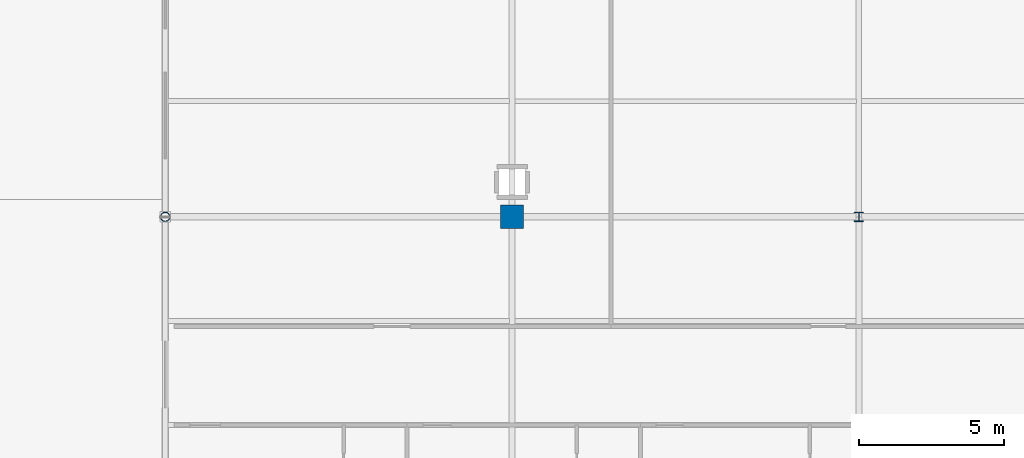
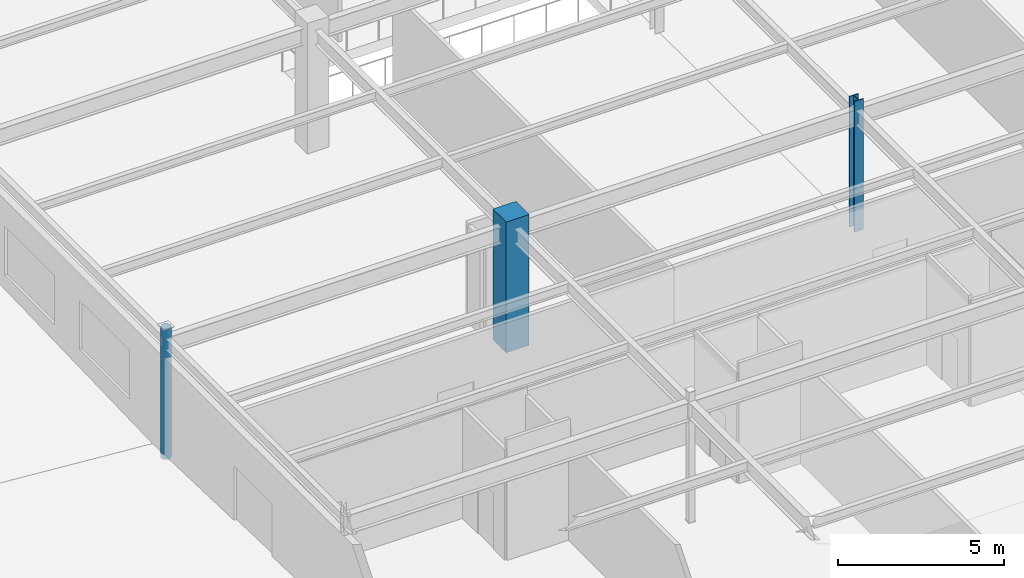
# One storey, part 3 of 199: 3 columns.
"""IFC4 building model written with IfcOpenShell, lengths in metres."""

from ifc_helpers import new_model, si_unit, direction, frame, origin, origin_2d, place, context, subcontext, project, spatial, rectangle, hollow_circle, i_section, extrude, material, material_profile, profile_set, type_object, element, save


model = new_model("IFC4")

# Units and contexts
model_context = context("Model", 3, precision=1e-05, world=origin(), true_north=direction((0.0, 1.0)))
body_context = subcontext(model_context, "Body", "Model", "MODEL_VIEW")
ifc_project = project(units=[si_unit("LENGTHUNIT", "METRE"), si_unit("AREAUNIT", "SQUARE_METRE"), si_unit("VOLUMEUNIT", "CUBIC_METRE"), si_unit("PLANEANGLEUNIT", "RADIAN"), si_unit("MASSUNIT", "GRAM", prefix="KILO")], contexts=[model_context])

# Site, building, storey
site_placement = place(None, origin())
site = spatial("IfcSite", under=ifc_project, at=site_placement, CompositionType="ELEMENT")
building_placement = place(site_placement, origin())
building = spatial("IfcBuilding", under=site, at=building_placement, Name="Tarnwether General Hospital", CompositionType="ELEMENT")
storey_placement = place(building_placement, origin())
storey = spatial("IfcBuildingStorey", under=building, at=storey_placement, Name="L00", CompositionType="ELEMENT", Elevation=0.0)

# Columns
ifc_material_1 = material(Name="Steel Grade 350 (350 MPa)", Category="steel")
ifc_material_profile_1 = material_profile(ifc_material_1, i_section(OverallWidth=0.31103515625, OverallDepth=0.326904296875, WebThickness=0.015625, FlangeThickness=0.02490234375, at=origin_2d()), Name="310UC158")
ifc_profile_set_1 = profile_set([ifc_material_profile_1], Name="Steel Grade 350 (350 MPa)")
column_type_1 = type_object("IfcColumnType", Name="COL-05", PredefinedType="COLUMN", material=ifc_profile_set_1)
column_1_placement = place(storey_placement, frame((24.0, 21.60009765625, 0.0), z_axis=(0.0, 0.0, 1.0), x_axis=(1.0, 0.0, 0.0)))
element("IfcColumn", 1, at=column_1_placement, inside=storey, type_object=column_type_1, Name="Column COLG-L00-2400_2160", PredefinedType="COLUMN", context=body_context, shape_type="SweptSolid", body=[
    extrude(i_section(OverallWidth=0.31103515625, OverallDepth=0.326904296875, WebThickness=0.015625, FlangeThickness=0.02490234375, at=origin_2d()), origin(), (0.0, 0.0, 1.0), 4.800048828125),
])
ifc_material_2 = material(Name="Concrete 50 MPa", Category="concrete")
ifc_material_profile_2 = material_profile(ifc_material_2, rectangle(XDim=0.800048828125, YDim=0.800048828125, at=origin_2d()), Name="RC-COL-800x800")
ifc_profile_set_2 = profile_set([ifc_material_profile_2], Name="Concrete 50 MPa")
column_type_2 = type_object("IfcColumnType", Name="COL-16", PredefinedType="COLUMN", material=ifc_profile_set_2)
column_2_placement = place(storey_placement, frame((12.0, 21.60009765625, 0.0), z_axis=(0.0, 0.0, 1.0), x_axis=(0.0, 1.0, 0.0)))
element("IfcColumn", 2, at=column_2_placement, inside=storey, type_object=column_type_2, Name="Column COLG-L00-1200_2160", PredefinedType="COLUMN", context=body_context, shape_type="SweptSolid", body=[
    extrude(rectangle(XDim=0.800048828125, YDim=0.800048828125, at=origin_2d()), origin(), (0.0, 0.0, 1.0), 4.800048828125),
])
ifc_material_3 = material(Name="Steel Grade C350L0 (350 MPa)", Category="steel")
ifc_material_profile_3 = material_profile(ifc_material_3, hollow_circle(Radius=0.161865234375, WallThickness=0.0126953125, at=origin_2d()), Name="CHS323.9x12.7")
ifc_profile_set_3 = profile_set([ifc_material_profile_3], Name="Steel Grade C350L0 (350 MPa)")
column_type_3 = type_object("IfcColumnType", Name="COL-26", PredefinedType="COLUMN", material=ifc_profile_set_3)
column_3_placement = place(storey_placement, frame((0.0, 21.60009765625, 0.0), z_axis=(0.0, 0.0, 1.0), x_axis=(1.0, 0.0, 0.0)))
element("IfcColumn", 3, at=column_3_placement, inside=storey, type_object=column_type_3, Name="Column COLG-L00-0_2160", PredefinedType="COLUMN", context=body_context, shape_type="SweptSolid", body=[
    extrude(hollow_circle(Radius=0.161865234375, WallThickness=0.0126953125, at=origin_2d()), origin(), (0.0, 0.0, 1.0), 4.800048828125),
])

save(model, "model.ifc")
